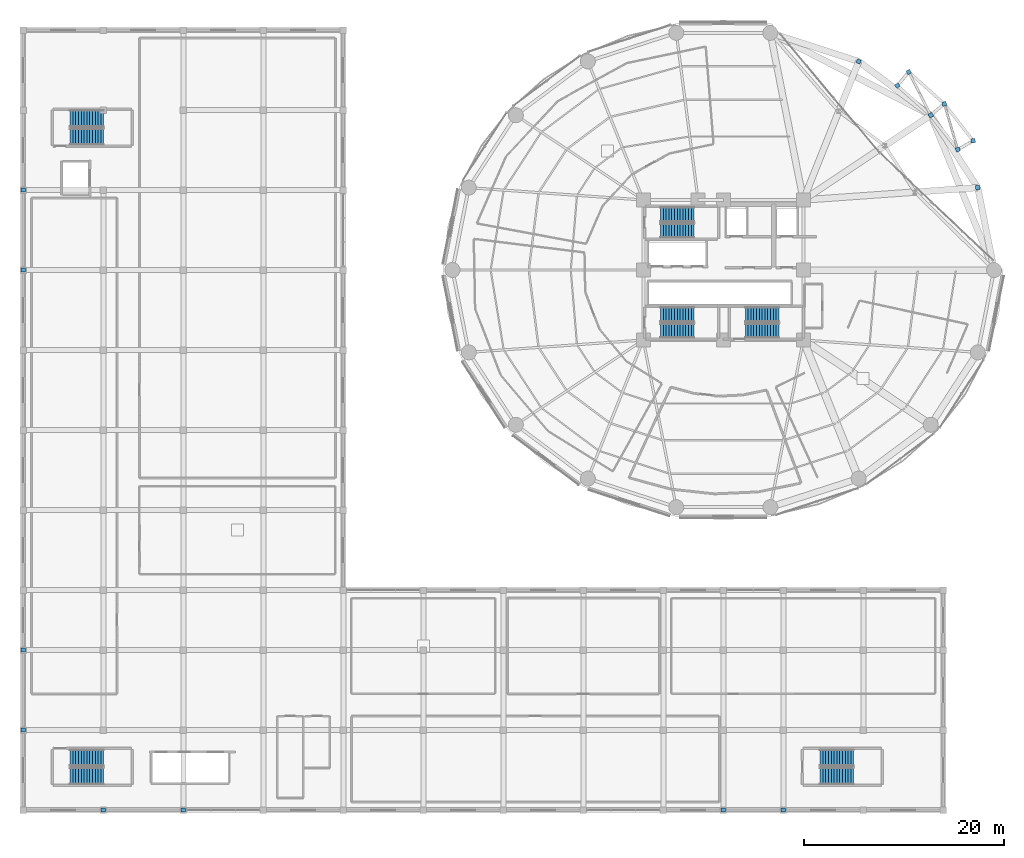
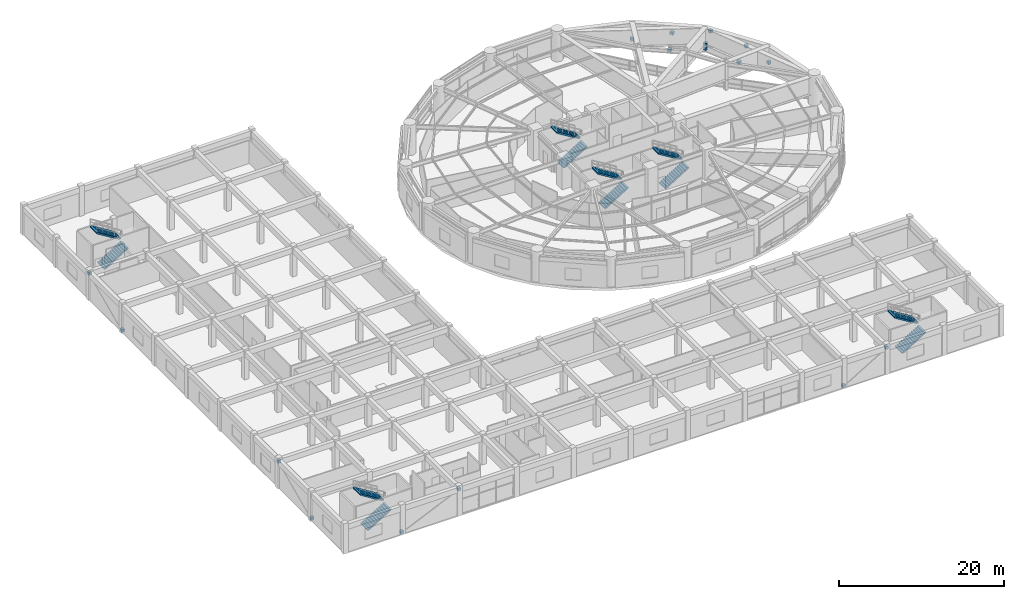
# One storey, part 45 of 52: 17 discrete accessories, 12 stair flights, 6 elements without a shape of their own.
"""IFC4 building model written with IfcOpenShell, lengths in metres."""

import ifcopenshell
import ifcopenshell.guid

model = None  # the IFC model being written
_history = None  # IfcOwnerHistory: only IFC2X3 demands one
_inside = {}  # id of a spatial element -> (the spatial element, [elements in it])
_under = {}  # id of a project, library or spatial element -> (it, [spatial elements below it])
_declared = {}  # id of a project -> (the project, [libraries it declares])
_typed = {}  # id of a type object -> (the type object, [elements of that type])
_made_of = {}  # id of a material, layer set ... -> (it, [elements and type objects made of it])


def new_model(schema):
    """Start an empty IFC model of exactly this schema.

    Asked for "IFC4X3", IfcOpenShell would pick the latest addendum, in which some entities
    have other attributes; the version numbers below select the first issue.
    IFC2X3 requires an IfcOwnerHistory on every rooted entity: one is made here for all.
    """
    global model, _history
    if schema == "IFC4X3":
        model = ifcopenshell.file(schema_version=(4, 3, 0, 0))
    else:
        model = ifcopenshell.file(schema=schema)
    _inside.clear()
    _under.clear()
    _declared.clear()
    _typed.clear()
    _made_of.clear()
    _history = None
    if model.schema == "IFC2X3":
        org = make("IfcOrganization", Name="unknown")
        user = make(
            "IfcPersonAndOrganization",
            ThePerson=make("IfcPerson", FamilyName="unknown"),
            TheOrganization=org,
        )
        app = make(
            "IfcApplication",
            ApplicationDeveloper=org,
            Version="unknown",
            ApplicationFullName="unknown",
            ApplicationIdentifier="unknown",
        )
        _history = make(
            "IfcOwnerHistory",
            OwningUser=user,
            OwningApplication=app,
            ChangeAction="ADDED",
            CreationDate=0,
        )
    return model


def make(cls, **values):
    """One entity of the class cls with the attributes given. An attribute that is None is left unset."""
    return model.create_entity(
        cls, **{name: value for name, value in values.items() if value is not None}
    )


def rooted(cls, **values):
    """An entity with a GlobalId (a new one), such as an element, a storey or a relation."""
    return make(cls, GlobalId=ifcopenshell.guid.new(), OwnerHistory=_history, **values)


def si_unit(unit_type, name, prefix=None):
    """IfcSIUnit, for example si_unit("LENGTHUNIT", "METRE", prefix="MILLI")."""
    return make("IfcSIUnit", UnitType=unit_type, Prefix=prefix, Name=name)


def assignment(units):
    """IfcUnitAssignment: the units of a project."""
    return None if units is None else make("IfcUnitAssignment", Units=units)


def point(xyz):
    """IfcCartesianPoint."""
    return None if xyz is None else make("IfcCartesianPoint", Coordinates=xyz)


def direction(xyz):
    """IfcDirection."""
    return None if xyz is None else make("IfcDirection", DirectionRatios=xyz)


def frame(location, z_axis=None, x_axis=None):
    """IfcAxis2Placement3D, a coordinate frame: its origin and axes. An axis left out is left unset."""
    return make(
        "IfcAxis2Placement3D",
        Location=point(location),
        Axis=direction(z_axis),
        RefDirection=direction(x_axis),
    )


def frame_2d(location, x_axis=None):
    """IfcAxis2Placement2D, a coordinate frame in the plane: its origin and x axis."""
    return make(
        "IfcAxis2Placement2D", Location=point(location), RefDirection=direction(x_axis)
    )


def origin():
    """The frame at (0, 0, 0) with its axes left unset."""
    return frame((0.0, 0.0, 0.0))


def origin_2d():
    """The frame at (0, 0) in the plane with its x axis left unset."""
    return frame_2d((0.0, 0.0))


def place(relative_to, where):
    """IfcLocalPlacement: puts the frame where relative to a parent placement (None: the world)."""
    return make(
        "IfcLocalPlacement", PlacementRelTo=relative_to, RelativePlacement=where
    )


def context(
    kind, dimensions, precision=None, world=None, true_north=None, identifier=None
):
    """IfcGeometricRepresentationContext, for example the 3D "Model" context."""
    return make(
        "IfcGeometricRepresentationContext",
        ContextIdentifier=identifier,
        ContextType=kind,
        CoordinateSpaceDimension=dimensions,
        Precision=precision,
        WorldCoordinateSystem=world,
        TrueNorth=true_north,
    )


def subcontext(parent, identifier, kind, view, scale=None):
    """IfcGeometricRepresentationSubContext, for example "Body" below "Model"."""
    return make(
        "IfcGeometricRepresentationSubContext",
        ContextIdentifier=identifier,
        ContextType=kind,
        ParentContext=parent,
        TargetScale=scale,
        TargetView=view,
    )


def project(units=None, contexts=None):
    """IfcProject with its units and contexts."""
    return rooted(
        "IfcProject",
        Name="project",
        RepresentationContexts=contexts,
        UnitsInContext=assignment(units),
    )


def spatial(cls, under=None, at=None, **own):
    """A site, building, storey or space (cls), placed at a placement, below another one or the project."""
    s = rooted(cls, ObjectPlacement=at, **own)
    if under is not None:
        _under.setdefault(under.id(), (under, []))[1].append(s)
    return s


def polyline(points):
    """IfcPolyline through the points."""
    return make("IfcPolyline", Points=[point(p) for p in points])


def profile(cls, at=None, kind="AREA", **sizes):
    """A parametric profile (cls). Its sizes go by their IFC names, for example OverallWidth=200.0."""
    return make(cls, ProfileType=kind, Position=at, **sizes)


def rectangle(**sizes):
    """IfcRectangleProfileDef."""
    return profile("IfcRectangleProfileDef", **sizes)


def outline(outer, holes=None, kind="AREA"):
    """IfcArbitraryClosedProfileDef: a profile drawn as a closed curve; with holes, ...WithVoids."""
    if holes is None:
        return make("IfcArbitraryClosedProfileDef", ProfileType=kind, OuterCurve=outer)
    return make(
        "IfcArbitraryProfileDefWithVoids",
        ProfileType=kind,
        OuterCurve=outer,
        InnerCurves=holes,
    )


def extrude(swept, where, along, depth):
    """IfcExtrudedAreaSolid: the profile swept, set in the frame where, extruded along a direction by depth."""
    return make(
        "IfcExtrudedAreaSolid",
        SweptArea=swept,
        Position=where,
        ExtrudedDirection=direction(along),
        Depth=depth,
    )


def shape(context_of_items, identifier, shape_type, items):
    """IfcShapeRepresentation: the items that make up one representation, for example the "Body"."""
    return make(
        "IfcShapeRepresentation",
        ContextOfItems=context_of_items,
        RepresentationIdentifier=identifier,
        RepresentationType=shape_type,
        Items=items,
    )


def source(mapping_origin, context_of_items, identifier, shape_type, items):
    """IfcRepresentationMap: a shape defined once, which mapped items show again and again."""
    return make(
        "IfcRepresentationMap",
        MappingOrigin=mapping_origin,
        MappedRepresentation=shape(context_of_items, identifier, shape_type, items),
    )


def transform(
    local_origin,
    x_axis=None,
    y_axis=None,
    z_axis=None,
    scale=None,
    scale2=None,
    scale3=None,
    uniform=True,
):
    """IfcCartesianTransformationOperator3D, or its non-uniform kind. x_axis, y_axis, z_axis: its Axis1, 2, 3."""
    if uniform:
        return make(
            "IfcCartesianTransformationOperator3D",
            Axis1=direction(x_axis),
            Axis2=direction(y_axis),
            LocalOrigin=point(local_origin),
            Scale=scale,
            Axis3=direction(z_axis),
        )
    return make(
        "IfcCartesianTransformationOperator3DnonUniform",
        Axis1=direction(x_axis),
        Axis2=direction(y_axis),
        LocalOrigin=point(local_origin),
        Scale=scale,
        Axis3=direction(z_axis),
        Scale2=scale2,
        Scale3=scale3,
    )


def mapped(mapping_source, mapping_target):
    """IfcMappedItem: shows the shape of a source again, moved by a transform."""
    return make(
        "IfcMappedItem", MappingSource=mapping_source, MappingTarget=mapping_target
    )


def material(Name=None, Category=None):
    """IfcMaterial."""
    return make("IfcMaterial", Name=Name, Category=Category)


def made_of(thing, what):
    """Note that an element or type object is made of a material, layer set ...; save() writes the relation."""
    if what is not None:
        _made_of.setdefault(what.id(), (what, []))[1].append(thing)
    return thing


def type_object(cls, material=None, **own):
    """A type object (cls), such as IfcWallType, which elements share."""
    return made_of(rooted(cls, **own), material)


def element(
    cls,
    number,
    at=None,
    inside=None,
    cuts=None,
    type_object=None,
    material=None,
    context=None,
    identifier="Body",
    shape_type=None,
    held_by="IfcProductDefinitionShape",
    body=None,
    shapes=None,
    **own,
):
    """One element of the class cls, such as IfcWall. Its Tag is "e" and its number.

    at: its placement. inside: the storey or other place that contains it. cuts: it is an
    opening in that element (IfcRelVoidsElement). A single representation is given by context,
    identifier, shape_type and body (its items); several are given by shapes. held_by: the class
    of the entity that holds the representations. save() writes the other relations.
    """
    e = rooted(cls, Tag="e%d" % number, ObjectPlacement=at, **own)
    if body is not None:
        shapes = [shape(context, identifier, shape_type, body)]
    if shapes is not None:
        e.Representation = make(held_by, Representations=shapes)
    if inside is not None:
        _inside.setdefault(inside.id(), (inside, []))[1].append(e)
    if cuts is not None:
        rooted(
            "IfcRelVoidsElement", RelatingBuildingElement=cuts, RelatedOpeningElement=e
        )
    if type_object is not None:
        _typed.setdefault(type_object.id(), (type_object, []))[1].append(e)
    return made_of(e, material)


def aggregate(whole, parts):
    """IfcRelAggregates: a whole, such as a stair, and the parts it consists of."""
    return rooted("IfcRelAggregates", RelatingObject=whole, RelatedObjects=parts)


def save(model, path):
    """Write the relations noted so far, then the file.

    IfcRelAggregates (storeys below a building ...), IfcRelContainedInSpatialStructure (elements
    in a storey), IfcRelDefinesByType, IfcRelAssociatesMaterial and IfcRelDeclares: one each for
    every whole, place, type object, material and project.
    """
    for whole, parts in _under.values():
        aggregate(whole, parts)
    for where, things in _inside.values():
        rooted(
            "IfcRelContainedInSpatialStructure",
            RelatedElements=things,
            RelatingStructure=where,
        )
    for kind, things in _typed.values():
        rooted("IfcRelDefinesByType", RelatedObjects=things, RelatingType=kind)
    for what, things in _made_of.values():
        rooted("IfcRelAssociatesMaterial", RelatedObjects=things, RelatingMaterial=what)
    for by, libraries in _declared.values():
        rooted("IfcRelDeclares", RelatingContext=by, RelatedDefinitions=libraries)
    model.write(path)


model = new_model("IFC4")

# Units and contexts
model_context = context("Model", 3, precision=1e-05, world=origin(), true_north=direction((0.0, 1.0)))
body_context = subcontext(model_context, "Body", "Model", "MODEL_VIEW")
ifc_project = project(units=[si_unit("LENGTHUNIT", "METRE"), si_unit("AREAUNIT", "SQUARE_METRE"), si_unit("VOLUMEUNIT", "CUBIC_METRE"), si_unit("PLANEANGLEUNIT", "RADIAN"), si_unit("MASSUNIT", "GRAM", prefix="KILO")], contexts=[model_context])

# Site, building, storey
site_placement = place(None, origin())
site = spatial("IfcSite", under=ifc_project, at=site_placement, CompositionType="ELEMENT")
building_placement = place(site_placement, origin())
building = spatial("IfcBuilding", under=site, at=building_placement, Name="Kelanora Arch Commons", CompositionType="ELEMENT")
storey_placement = place(building_placement, frame((0.0, 0.0, 13.5)))
storey = spatial("IfcBuildingStorey", under=building, at=storey_placement, Name="L03", CompositionType="ELEMENT", Elevation=13.5)

# Stair, stair flights
ifc_material_1 = material(Name="Concrete C40/50", Category="concrete")
stair_type = type_object("IfcStairType", Name="STR-DL-450", PredefinedType="HALF_TURN_STAIR", material=ifc_material_1)
stair_1_placement = place(storey_placement, origin())
stair_1 = element("IfcStair", 1, at=stair_1_placement, inside=storey, type_object=stair_type, Name="L03 ST-T1", PredefinedType="HALF_TURN_STAIR")
stair_flight_type = type_object("IfcStairFlightType", Name="FLT-DL-450", PredefinedType="STRAIGHT", material=ifc_material_1)
stair_flight_1_placement = place(storey_placement, frame((67.719970703125, 61.919921875, 0.0), z_axis=(0.0, 0.0, 1.0), x_axis=(1.0, 0.0, 0.0)))
stair_flight_1 = element("IfcStairFlight", 2, at=stair_flight_1_placement, type_object=stair_flight_type, Name="ST-T1 flight 1", NumberOfRisers=13, NumberOfTreads=12, PredefinedType="STRAIGHT", RiserHeight=0.173076923, TreadLength=0.28, context=body_context, shape_type="SweptSolid", body=[
    extrude(outline(polyline([(0.0, 0.0), (0.0, 0.173095703125), (0.280029296875, 0.173095703125), (0.280029296875, 0.34619140625), (0.56005859375, 0.34619140625), (0.56005859375, 0.519287109375), (0.840087890625, 0.519287109375), (0.840087890625, 0.6923828125), (1.1201171875, 0.6923828125), (1.1201171875, 0.865478515625), (1.39990234375, 0.865478515625), (1.39990234375, 1.03857421875), (1.679931640625, 1.03857421875), (1.679931640625, 1.21142578125), (1.9599609375, 1.21142578125), (1.9599609375, 1.384521484375), (2.239990234375, 1.384521484375), (2.239990234375, 1.5576171875), (2.52001953125, 1.5576171875), (2.52001953125, 1.730712890625), (2.800048828125, 1.730712890625), (2.800048828125, 1.90380859375), (3.080078125, 1.90380859375), (3.080078125, 2.076904296875), (3.360107421875, 2.076904296875), (3.360107421875, 2.25), (3.360107421875, 1.900634765625), (0.28515625, 0.0), (0.0, 0.0)])), frame((0.0, 0.739990234375, 0.0), z_axis=(0.0, -1.0, 0.0), x_axis=(1.0, 0.0, 0.0)), (0.0, 0.0, 1.0), 1.47998046875),
])
stair_flight_2_placement = place(storey_placement, frame((71.080078125, 63.550048828125, 2.25), z_axis=(0.0, 0.0, 1.0), x_axis=(-1.0, 0.0, 0.0)))
stair_flight_2 = element("IfcStairFlight", 3, at=stair_flight_2_placement, type_object=stair_flight_type, Name="ST-T1 flight 2", NumberOfRisers=13, NumberOfTreads=12, PredefinedType="STRAIGHT", RiserHeight=0.173076923, TreadLength=0.28, context=body_context, shape_type="SweptSolid", body=[
    extrude(outline(polyline([(0.0, 0.0), (0.0, 0.173095703125), (0.280029296875, 0.173095703125), (0.280029296875, 0.34619140625), (0.56005859375, 0.34619140625), (0.56005859375, 0.519287109375), (0.840087890625, 0.519287109375), (0.840087890625, 0.6923828125), (1.1201171875, 0.6923828125), (1.1201171875, 0.865478515625), (1.39990234375, 0.865478515625), (1.39990234375, 1.03857421875), (1.679931640625, 1.03857421875), (1.679931640625, 1.21142578125), (1.9599609375, 1.21142578125), (1.9599609375, 1.384521484375), (2.239990234375, 1.384521484375), (2.239990234375, 1.5576171875), (2.52001953125, 1.5576171875), (2.52001953125, 1.730712890625), (2.800048828125, 1.730712890625), (2.800048828125, 1.90380859375), (3.080078125, 1.90380859375), (3.080078125, 2.076904296875), (3.360107421875, 2.076904296875), (3.360107421875, 2.25), (3.360107421875, 1.900634765625), (0.28515625, 0.0), (0.0, 0.0)])), frame((0.0, 0.739990234375, 0.0), z_axis=(0.0, -1.0, 0.0), x_axis=(1.0, 0.0, 0.0)), (0.0, 0.0, 1.0), 1.47998046875),
])
aggregate(stair_1, [stair_flight_1, stair_flight_2])

stair_2_placement = place(storey_placement, origin())
stair_2 = element("IfcStair", 4, at=stair_2_placement, inside=storey, type_object=stair_type, Name="L03 ST-T2", PredefinedType="HALF_TURN_STAIR")
stair_flight_3_placement = place(storey_placement, frame((76.199951171875, 51.919921875, 0.0), z_axis=(0.0, 0.0, 1.0), x_axis=(1.0, 0.0, 0.0)))
stair_flight_3 = element("IfcStairFlight", 5, at=stair_flight_3_placement, type_object=stair_flight_type, Name="ST-T2 flight 1", NumberOfRisers=13, NumberOfTreads=12, PredefinedType="STRAIGHT", RiserHeight=0.173076923, TreadLength=0.28, context=body_context, shape_type="SweptSolid", body=[
    extrude(outline(polyline([(0.0, 0.0), (0.0, 0.173095703125), (0.280029296875, 0.173095703125), (0.280029296875, 0.34619140625), (0.56005859375, 0.34619140625), (0.56005859375, 0.519287109375), (0.840087890625, 0.519287109375), (0.840087890625, 0.6923828125), (1.1201171875, 0.6923828125), (1.1201171875, 0.865478515625), (1.39990234375, 0.865478515625), (1.39990234375, 1.03857421875), (1.679931640625, 1.03857421875), (1.679931640625, 1.21142578125), (1.9599609375, 1.21142578125), (1.9599609375, 1.384521484375), (2.239990234375, 1.384521484375), (2.239990234375, 1.5576171875), (2.52001953125, 1.5576171875), (2.52001953125, 1.730712890625), (2.800048828125, 1.730712890625), (2.800048828125, 1.90380859375), (3.080078125, 1.90380859375), (3.080078125, 2.076904296875), (3.360107421875, 2.076904296875), (3.360107421875, 2.25), (3.360107421875, 1.900634765625), (0.28515625, 0.0), (0.0, 0.0)])), frame((0.0, 0.739990234375, 0.0), z_axis=(0.0, -1.0, 0.0), x_axis=(1.0, 0.0, 0.0)), (0.0, 0.0, 1.0), 1.47998046875),
])
stair_flight_4_placement = place(storey_placement, frame((79.56005859375, 53.550048828125, 2.25), z_axis=(0.0, 0.0, 1.0), x_axis=(-1.0, 0.0, 0.0)))
stair_flight_4 = element("IfcStairFlight", 6, at=stair_flight_4_placement, type_object=stair_flight_type, Name="ST-T2 flight 2", NumberOfRisers=13, NumberOfTreads=12, PredefinedType="STRAIGHT", RiserHeight=0.173076923, TreadLength=0.28, context=body_context, shape_type="SweptSolid", body=[
    extrude(outline(polyline([(0.0, 0.0), (0.0, 0.173095703125), (0.280029296875, 0.173095703125), (0.280029296875, 0.34619140625), (0.56005859375, 0.34619140625), (0.56005859375, 0.519287109375), (0.840087890625, 0.519287109375), (0.840087890625, 0.6923828125), (1.1201171875, 0.6923828125), (1.1201171875, 0.865478515625), (1.39990234375, 0.865478515625), (1.39990234375, 1.03857421875), (1.679931640625, 1.03857421875), (1.679931640625, 1.21142578125), (1.9599609375, 1.21142578125), (1.9599609375, 1.384521484375), (2.239990234375, 1.384521484375), (2.239990234375, 1.5576171875), (2.52001953125, 1.5576171875), (2.52001953125, 1.730712890625), (2.800048828125, 1.730712890625), (2.800048828125, 1.90380859375), (3.080078125, 1.90380859375), (3.080078125, 2.076904296875), (3.360107421875, 2.076904296875), (3.360107421875, 2.25), (3.360107421875, 1.900634765625), (0.28515625, 0.0), (0.0, 0.0)])), frame((0.0, 0.739990234375, 0.0), z_axis=(0.0, -1.0, 0.0), x_axis=(1.0, 0.0, 0.0)), (0.0, 0.0, 1.0), 1.47998046875),
])
aggregate(stair_2, [stair_flight_3, stair_flight_4])

stair_3_placement = place(storey_placement, origin())
stair_3 = element("IfcStair", 7, at=stair_3_placement, inside=storey, type_object=stair_type, Name="L03 ST-T3", PredefinedType="HALF_TURN_STAIR")
stair_flight_5_placement = place(storey_placement, frame((67.719970703125, 51.919921875, 0.0), z_axis=(0.0, 0.0, 1.0), x_axis=(1.0, 0.0, 0.0)))
stair_flight_5 = element("IfcStairFlight", 8, at=stair_flight_5_placement, type_object=stair_flight_type, Name="ST-T3 flight 1", NumberOfRisers=13, NumberOfTreads=12, PredefinedType="STRAIGHT", RiserHeight=0.173076923, TreadLength=0.28, context=body_context, shape_type="SweptSolid", body=[
    extrude(outline(polyline([(0.0, 0.0), (0.0, 0.173095703125), (0.280029296875, 0.173095703125), (0.280029296875, 0.34619140625), (0.56005859375, 0.34619140625), (0.56005859375, 0.519287109375), (0.840087890625, 0.519287109375), (0.840087890625, 0.6923828125), (1.1201171875, 0.6923828125), (1.1201171875, 0.865478515625), (1.39990234375, 0.865478515625), (1.39990234375, 1.03857421875), (1.679931640625, 1.03857421875), (1.679931640625, 1.21142578125), (1.9599609375, 1.21142578125), (1.9599609375, 1.384521484375), (2.239990234375, 1.384521484375), (2.239990234375, 1.5576171875), (2.52001953125, 1.5576171875), (2.52001953125, 1.730712890625), (2.800048828125, 1.730712890625), (2.800048828125, 1.90380859375), (3.080078125, 1.90380859375), (3.080078125, 2.076904296875), (3.360107421875, 2.076904296875), (3.360107421875, 2.25), (3.360107421875, 1.900634765625), (0.28515625, 0.0), (0.0, 0.0)])), frame((0.0, 0.739990234375, 0.0), z_axis=(0.0, -1.0, 0.0), x_axis=(1.0, 0.0, 0.0)), (0.0, 0.0, 1.0), 1.47998046875),
])
stair_flight_6_placement = place(storey_placement, frame((71.080078125, 53.550048828125, 2.25), z_axis=(0.0, 0.0, 1.0), x_axis=(-1.0, 0.0, 0.0)))
stair_flight_6 = element("IfcStairFlight", 9, at=stair_flight_6_placement, type_object=stair_flight_type, Name="ST-T3 flight 2", NumberOfRisers=13, NumberOfTreads=12, PredefinedType="STRAIGHT", RiserHeight=0.173076923, TreadLength=0.28, context=body_context, shape_type="SweptSolid", body=[
    extrude(outline(polyline([(0.0, 0.0), (0.0, 0.173095703125), (0.280029296875, 0.173095703125), (0.280029296875, 0.34619140625), (0.56005859375, 0.34619140625), (0.56005859375, 0.519287109375), (0.840087890625, 0.519287109375), (0.840087890625, 0.6923828125), (1.1201171875, 0.6923828125), (1.1201171875, 0.865478515625), (1.39990234375, 0.865478515625), (1.39990234375, 1.03857421875), (1.679931640625, 1.03857421875), (1.679931640625, 1.21142578125), (1.9599609375, 1.21142578125), (1.9599609375, 1.384521484375), (2.239990234375, 1.384521484375), (2.239990234375, 1.5576171875), (2.52001953125, 1.5576171875), (2.52001953125, 1.730712890625), (2.800048828125, 1.730712890625), (2.800048828125, 1.90380859375), (3.080078125, 1.90380859375), (3.080078125, 2.076904296875), (3.360107421875, 2.076904296875), (3.360107421875, 2.25), (3.360107421875, 1.900634765625), (0.28515625, 0.0), (0.0, 0.0)])), frame((0.0, 0.739990234375, 0.0), z_axis=(0.0, -1.0, 0.0), x_axis=(1.0, 0.0, 0.0)), (0.0, 0.0, 1.0), 1.47998046875),
])
aggregate(stair_3, [stair_flight_5, stair_flight_6])

stair_4_placement = place(storey_placement, origin())
stair_4 = element("IfcStair", 10, at=stair_4_placement, inside=storey, type_object=stair_type, Name="L03 ST-M1", PredefinedType="HALF_TURN_STAIR")
stair_flight_7_placement = place(storey_placement, frame((8.679931640625, 7.39990234375, 0.0), z_axis=(0.0, 0.0, 1.0), x_axis=(1.0, 0.0, 0.0)))
stair_flight_7 = element("IfcStairFlight", 11, at=stair_flight_7_placement, type_object=stair_flight_type, Name="ST-M1 flight 1", NumberOfRisers=13, NumberOfTreads=12, PredefinedType="STRAIGHT", RiserHeight=0.173076923, TreadLength=0.28, context=body_context, shape_type="SweptSolid", body=[
    extrude(outline(polyline([(0.0, 0.0), (0.0, 0.173095703125), (0.280029296875, 0.173095703125), (0.280029296875, 0.34619140625), (0.56005859375, 0.34619140625), (0.56005859375, 0.519287109375), (0.840087890625, 0.519287109375), (0.840087890625, 0.6923828125), (1.1201171875, 0.6923828125), (1.1201171875, 0.865478515625), (1.39990234375, 0.865478515625), (1.39990234375, 1.03857421875), (1.679931640625, 1.03857421875), (1.679931640625, 1.21142578125), (1.9599609375, 1.21142578125), (1.9599609375, 1.384521484375), (2.239990234375, 1.384521484375), (2.239990234375, 1.5576171875), (2.52001953125, 1.5576171875), (2.52001953125, 1.730712890625), (2.800048828125, 1.730712890625), (2.800048828125, 1.90380859375), (3.080078125, 1.90380859375), (3.080078125, 2.076904296875), (3.360107421875, 2.076904296875), (3.360107421875, 2.25), (3.360107421875, 1.900634765625), (0.28515625, 0.0), (0.0, 0.0)])), frame((0.0, 0.83984375, 0.0), z_axis=(0.0, -1.0, 0.0), x_axis=(1.0, 0.0, 0.0)), (0.0, 0.0, 1.0), 1.679931640625),
])
stair_flight_8_placement = place(storey_placement, frame((12.0400390625, 9.22998046875, 2.25), z_axis=(0.0, 0.0, 1.0), x_axis=(-1.0, 0.0, 0.0)))
stair_flight_8 = element("IfcStairFlight", 12, at=stair_flight_8_placement, type_object=stair_flight_type, Name="ST-M1 flight 2", NumberOfRisers=13, NumberOfTreads=12, PredefinedType="STRAIGHT", RiserHeight=0.173076923, TreadLength=0.28, context=body_context, shape_type="SweptSolid", body=[
    extrude(outline(polyline([(0.0, 0.0), (0.0, 0.173095703125), (0.280029296875, 0.173095703125), (0.280029296875, 0.34619140625), (0.56005859375, 0.34619140625), (0.56005859375, 0.519287109375), (0.840087890625, 0.519287109375), (0.840087890625, 0.6923828125), (1.1201171875, 0.6923828125), (1.1201171875, 0.865478515625), (1.39990234375, 0.865478515625), (1.39990234375, 1.03857421875), (1.679931640625, 1.03857421875), (1.679931640625, 1.21142578125), (1.9599609375, 1.21142578125), (1.9599609375, 1.384521484375), (2.239990234375, 1.384521484375), (2.239990234375, 1.5576171875), (2.52001953125, 1.5576171875), (2.52001953125, 1.730712890625), (2.800048828125, 1.730712890625), (2.800048828125, 1.90380859375), (3.080078125, 1.90380859375), (3.080078125, 2.076904296875), (3.360107421875, 2.076904296875), (3.360107421875, 2.25), (3.360107421875, 1.900634765625), (0.28515625, 0.0), (0.0, 0.0)])), frame((0.0, 0.83984375, 0.0), z_axis=(0.0, -1.0, 0.0), x_axis=(1.0, 0.0, 0.0)), (0.0, 0.0, 1.0), 1.679931640625),
])
aggregate(stair_4, [stair_flight_7, stair_flight_8])

stair_5_placement = place(storey_placement, origin())
stair_5 = element("IfcStair", 13, at=stair_5_placement, inside=storey, type_object=stair_type, Name="L03 ST-M2", PredefinedType="HALF_TURN_STAIR")
stair_flight_9_placement = place(storey_placement, frame((83.679931640625, 7.39990234375, 0.0), z_axis=(0.0, 0.0, 1.0), x_axis=(1.0, 0.0, 0.0)))
stair_flight_9 = element("IfcStairFlight", 14, at=stair_flight_9_placement, type_object=stair_flight_type, Name="ST-M2 flight 1", NumberOfRisers=13, NumberOfTreads=12, PredefinedType="STRAIGHT", RiserHeight=0.173076923, TreadLength=0.28, context=body_context, shape_type="SweptSolid", body=[
    extrude(outline(polyline([(0.0, 0.0), (0.0, 0.173095703125), (0.280029296875, 0.173095703125), (0.280029296875, 0.34619140625), (0.56005859375, 0.34619140625), (0.56005859375, 0.519287109375), (0.840087890625, 0.519287109375), (0.840087890625, 0.6923828125), (1.1201171875, 0.6923828125), (1.1201171875, 0.865478515625), (1.39990234375, 0.865478515625), (1.39990234375, 1.03857421875), (1.679931640625, 1.03857421875), (1.679931640625, 1.21142578125), (1.9599609375, 1.21142578125), (1.9599609375, 1.384521484375), (2.239990234375, 1.384521484375), (2.239990234375, 1.5576171875), (2.52001953125, 1.5576171875), (2.52001953125, 1.730712890625), (2.800048828125, 1.730712890625), (2.800048828125, 1.90380859375), (3.080078125, 1.90380859375), (3.080078125, 2.076904296875), (3.360107421875, 2.076904296875), (3.360107421875, 2.25), (3.360107421875, 1.900634765625), (0.28515625, 0.0), (0.0, 0.0)])), frame((0.0, 0.83984375, 0.0), z_axis=(0.0, -1.0, 0.0), x_axis=(1.0, 0.0, 0.0)), (0.0, 0.0, 1.0), 1.679931640625),
])
stair_flight_10_placement = place(storey_placement, frame((87.0400390625, 9.22998046875, 2.25), z_axis=(0.0, 0.0, 1.0), x_axis=(-1.0, 0.0, 0.0)))
stair_flight_10 = element("IfcStairFlight", 15, at=stair_flight_10_placement, type_object=stair_flight_type, Name="ST-M2 flight 2", NumberOfRisers=13, NumberOfTreads=12, PredefinedType="STRAIGHT", RiserHeight=0.173076923, TreadLength=0.28, context=body_context, shape_type="SweptSolid", body=[
    extrude(outline(polyline([(0.0, 0.0), (0.0, 0.173095703125), (0.280029296875, 0.173095703125), (0.280029296875, 0.34619140625), (0.56005859375, 0.34619140625), (0.56005859375, 0.519287109375), (0.840087890625, 0.519287109375), (0.840087890625, 0.6923828125), (1.1201171875, 0.6923828125), (1.1201171875, 0.865478515625), (1.39990234375, 0.865478515625), (1.39990234375, 1.03857421875), (1.679931640625, 1.03857421875), (1.679931640625, 1.21142578125), (1.9599609375, 1.21142578125), (1.9599609375, 1.384521484375), (2.239990234375, 1.384521484375), (2.239990234375, 1.5576171875), (2.52001953125, 1.5576171875), (2.52001953125, 1.730712890625), (2.800048828125, 1.730712890625), (2.800048828125, 1.90380859375), (3.080078125, 1.90380859375), (3.080078125, 2.076904296875), (3.360107421875, 2.076904296875), (3.360107421875, 2.25), (3.360107421875, 1.900634765625), (0.28515625, 0.0), (0.0, 0.0)])), frame((0.0, 0.83984375, 0.0), z_axis=(0.0, -1.0, 0.0), x_axis=(1.0, 0.0, 0.0)), (0.0, 0.0, 1.0), 1.679931640625),
])
aggregate(stair_5, [stair_flight_9, stair_flight_10])

stair_6_placement = place(storey_placement, origin())
stair_6 = element("IfcStair", 16, at=stair_6_placement, inside=storey, type_object=stair_type, Name="L03 ST-M3", PredefinedType="HALF_TURN_STAIR")
stair_flight_11_placement = place(storey_placement, frame((8.679931640625, 71.320068359375, 0.0), z_axis=(0.0, 0.0, 1.0), x_axis=(1.0, 0.0, 0.0)))
stair_flight_11 = element("IfcStairFlight", 17, at=stair_flight_11_placement, type_object=stair_flight_type, Name="ST-M3 flight 1", NumberOfRisers=13, NumberOfTreads=12, PredefinedType="STRAIGHT", RiserHeight=0.173076923, TreadLength=0.28, context=body_context, shape_type="SweptSolid", body=[
    extrude(outline(polyline([(0.0, 0.0), (0.0, 0.173095703125), (0.280029296875, 0.173095703125), (0.280029296875, 0.34619140625), (0.56005859375, 0.34619140625), (0.56005859375, 0.519287109375), (0.840087890625, 0.519287109375), (0.840087890625, 0.6923828125), (1.1201171875, 0.6923828125), (1.1201171875, 0.865478515625), (1.39990234375, 0.865478515625), (1.39990234375, 1.03857421875), (1.679931640625, 1.03857421875), (1.679931640625, 1.21142578125), (1.9599609375, 1.21142578125), (1.9599609375, 1.384521484375), (2.239990234375, 1.384521484375), (2.239990234375, 1.5576171875), (2.52001953125, 1.5576171875), (2.52001953125, 1.730712890625), (2.800048828125, 1.730712890625), (2.800048828125, 1.90380859375), (3.080078125, 1.90380859375), (3.080078125, 2.076904296875), (3.360107421875, 2.076904296875), (3.360107421875, 2.25), (3.360107421875, 1.900634765625), (0.28515625, 0.0), (0.0, 0.0)])), frame((0.0, 0.83984375, 0.0), z_axis=(0.0, -1.0, 0.0), x_axis=(1.0, 0.0, 0.0)), (0.0, 0.0, 1.0), 1.679931640625),
])
stair_flight_12_placement = place(storey_placement, frame((12.0400390625, 73.14990234375, 2.25), z_axis=(0.0, 0.0, 1.0), x_axis=(-1.0, 0.0, 0.0)))
stair_flight_12 = element("IfcStairFlight", 18, at=stair_flight_12_placement, type_object=stair_flight_type, Name="ST-M3 flight 2", NumberOfRisers=13, NumberOfTreads=12, PredefinedType="STRAIGHT", RiserHeight=0.173076923, TreadLength=0.28, context=body_context, shape_type="SweptSolid", body=[
    extrude(outline(polyline([(0.0, 0.0), (0.0, 0.173095703125), (0.280029296875, 0.173095703125), (0.280029296875, 0.34619140625), (0.56005859375, 0.34619140625), (0.56005859375, 0.519287109375), (0.840087890625, 0.519287109375), (0.840087890625, 0.6923828125), (1.1201171875, 0.6923828125), (1.1201171875, 0.865478515625), (1.39990234375, 0.865478515625), (1.39990234375, 1.03857421875), (1.679931640625, 1.03857421875), (1.679931640625, 1.21142578125), (1.9599609375, 1.21142578125), (1.9599609375, 1.384521484375), (2.239990234375, 1.384521484375), (2.239990234375, 1.5576171875), (2.52001953125, 1.5576171875), (2.52001953125, 1.730712890625), (2.800048828125, 1.730712890625), (2.800048828125, 1.90380859375), (3.080078125, 1.90380859375), (3.080078125, 2.076904296875), (3.360107421875, 2.076904296875), (3.360107421875, 2.25), (3.360107421875, 1.900634765625), (0.28515625, 0.0), (0.0, 0.0)])), frame((0.0, 0.83984375, 0.0), z_axis=(0.0, -1.0, 0.0), x_axis=(1.0, 0.0, 0.0)), (0.0, 0.0, 1.0), 1.679931640625),
])
aggregate(stair_6, [stair_flight_11, stair_flight_12])

# Discrete accessories
ifc_material_2 = material(Name="Steel S355", Category="steel")
discrete_accessory_type = type_object("IfcDiscreteAccessoryType", Name="ACC-BRC-CONN", PredefinedType="BRACKET", material=ifc_material_2)
shared_shape = source(origin(), body_context, "Body", "SweptSolid", [
    extrude(rectangle(XDim=0.419921875, YDim=0.419921875, at=origin_2d()), origin(), (0.0, 0.0, 1.0), 0.419921875),
])
for number, where, z_axis, x_axis, name in (
    (19, (12.0, 4.0, 0.0400390625), (0.0, 0.0, 1.0), (1.0, 0.0, 0.0), "Brace and Strut Gusset End Connection 0033"),
    (20, (20.0, 4.0, 3.64013671875), (0.0, 0.0, 1.0), (1.0, 0.0, 0.0), "Brace and Strut Gusset End Connection 0034"),
    (21, (74.0, 4.0, 0.0400390625), (0.0, 0.0, 1.0), (1.0, 0.0, 0.0), "Brace and Strut Gusset End Connection 0035"),
    (22, (80.0, 4.0, 3.64013671875), (0.0, 0.0, 1.0), (1.0, 0.0, 0.0), "Brace and Strut Gusset End Connection 0036"),
    (23, (4.0, 12.0, 0.0400390625), (0.0, 0.0, 1.0), (0.0, 1.0, 0.0), "Brace and Strut Gusset End Connection 0037"),
    (24, (4.0, 20.0, 3.64013671875), (0.0, 0.0, 1.0), (0.0, 1.0, 0.0), "Brace and Strut Gusset End Connection 0038"),
    (25, (4.0, 58.0, 0.0400390625), (0.0, 0.0, 1.0), (0.0, 1.0, 0.0), "Brace and Strut Gusset End Connection 0039"),
    (26, (4.0, 66.0, 3.64013671875), (0.0, 0.0, 1.0), (0.0, 1.0, 0.0), "Brace and Strut Gusset End Connection 0040"),
    (27, (98.98486328125, 70.925048828125, 1.114990234375), (0.0, 0.0, 1.0), (-0.098103986207, 0.995176169274, 0.0), "Brace and Strut Gusset End Connection 0222"),
    (28, (97.451904296875, 70.0400390625, -0.197509765625), (0.0, 0.0, 1.0), (-0.283345893093, 0.959017781309, 0.0), "Brace and Strut Gusset End Connection 0223"),
    (29, (96.100341796875, 74.6162109375, 2.090087890625), (0.0, 0.0, 1.0), (-0.283345893093, 0.959017781309, 0.0), "Brace and Strut Gusset End Connection 0224"),
    (30, (94.744384765625, 73.478271484375, 0.68994140625), (0.0, 0.0, 1.0), (-0.453523907604, 0.89124411091, 0.0), "Brace and Strut Gusset End Connection 0225"),
    (31, (92.54443359375, 77.80224609375, 1.114990234375), (0.0, 0.0, 1.0), (-0.453523907604, 0.89124411091, 0.0), "Brace and Strut Gusset End Connection 0226"),
    (32, (91.40673828125, 76.4462890625, -0.197509765625), (0.0, 0.0, 1.0), (-0.603347183213, 0.797478637023, 0.0), "Brace and Strut Gusset End Connection 0227"),
    (33, (99.447021484375, 66.23583984375, 1.330078125), (0.0, 0.0, 1.0), (0.997502796416, 0.070626985931, 0.0), "Brace and Strut Gusset End Connection 0233"),
    (34, (94.744384765625, 73.478271484375, 1.330078125), (0.0, 0.0, 1.0), (0.832631371411, 0.553827589908, 0.0), "Brace and Strut Gusset End Connection 0235"),
    (35, (87.5400390625, 78.85400390625, 1.330078125), (0.0, 0.0, 1.0), (0.37136783555, 0.928485826881, 0.0), "Brace and Strut Gusset End Connection 0237"),
):
    element("IfcDiscreteAccessory", number, at=place(storey_placement, frame(where, z_axis=z_axis, x_axis=x_axis)), inside=storey, type_object=discrete_accessory_type, Name=name, PredefinedType="BRACKET", context=body_context, shape_type="MappedRepresentation", body=[
        mapped(shared_shape, transform((0.0, 0.0, 0.0), scale=1.0)),
    ])

save(model, "model.ifc")
